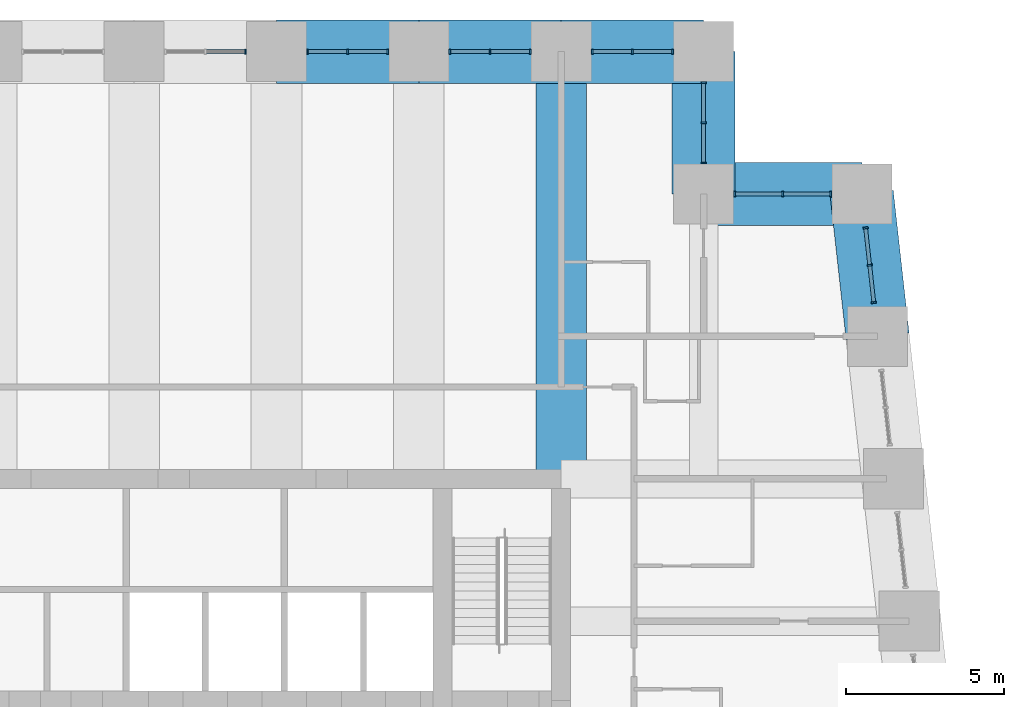
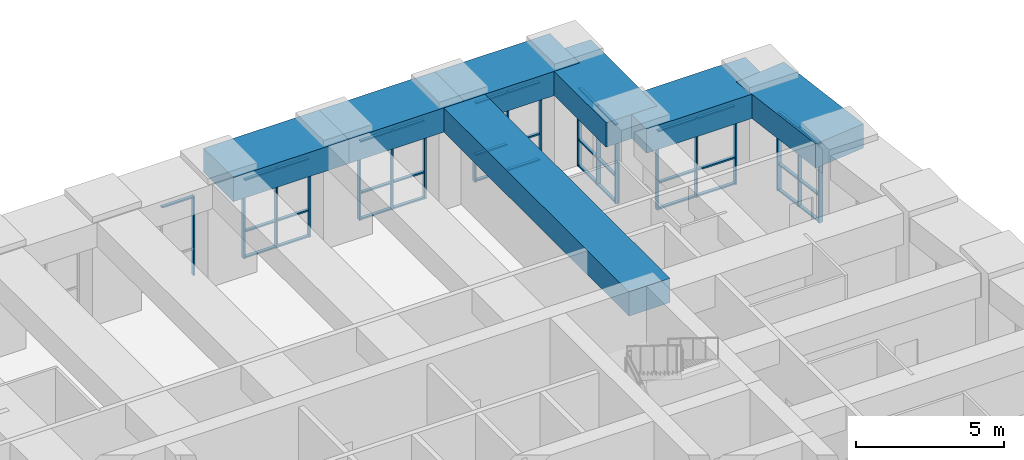
# One storey, part 8 of 16: 56 members, 7 beams, 7 elements without a shape of their own.
"""IFC4 building model written with IfcOpenShell, lengths in metres."""

import ifcopenshell
import ifcopenshell.guid

model = None  # the IFC model being written
_history = None  # IfcOwnerHistory: only IFC2X3 demands one
_inside = {}  # id of a spatial element -> (the spatial element, [elements in it])
_under = {}  # id of a project, library or spatial element -> (it, [spatial elements below it])
_declared = {}  # id of a project -> (the project, [libraries it declares])
_typed = {}  # id of a type object -> (the type object, [elements of that type])
_made_of = {}  # id of a material, layer set ... -> (it, [elements and type objects made of it])


def new_model(schema):
    """Start an empty IFC model of exactly this schema.

    Asked for "IFC4X3", IfcOpenShell would pick the latest addendum, in which some entities
    have other attributes; the version numbers below select the first issue.
    IFC2X3 requires an IfcOwnerHistory on every rooted entity: one is made here for all.
    """
    global model, _history
    if schema == "IFC4X3":
        model = ifcopenshell.file(schema_version=(4, 3, 0, 0))
    else:
        model = ifcopenshell.file(schema=schema)
    _inside.clear()
    _under.clear()
    _declared.clear()
    _typed.clear()
    _made_of.clear()
    _history = None
    if model.schema == "IFC2X3":
        org = make("IfcOrganization", Name="unknown")
        user = make(
            "IfcPersonAndOrganization",
            ThePerson=make("IfcPerson", FamilyName="unknown"),
            TheOrganization=org,
        )
        app = make(
            "IfcApplication",
            ApplicationDeveloper=org,
            Version="unknown",
            ApplicationFullName="unknown",
            ApplicationIdentifier="unknown",
        )
        _history = make(
            "IfcOwnerHistory",
            OwningUser=user,
            OwningApplication=app,
            ChangeAction="ADDED",
            CreationDate=0,
        )
    return model


def make(cls, **values):
    """One entity of the class cls with the attributes given. An attribute that is None is left unset."""
    return model.create_entity(
        cls, **{name: value for name, value in values.items() if value is not None}
    )


def rooted(cls, **values):
    """An entity with a GlobalId (a new one), such as an element, a storey or a relation."""
    return make(cls, GlobalId=ifcopenshell.guid.new(), OwnerHistory=_history, **values)


def si_unit(unit_type, name, prefix=None):
    """IfcSIUnit, for example si_unit("LENGTHUNIT", "METRE", prefix="MILLI")."""
    return make("IfcSIUnit", UnitType=unit_type, Prefix=prefix, Name=name)


def assignment(units):
    """IfcUnitAssignment: the units of a project."""
    return None if units is None else make("IfcUnitAssignment", Units=units)


def point(xyz):
    """IfcCartesianPoint."""
    return None if xyz is None else make("IfcCartesianPoint", Coordinates=xyz)


def direction(xyz):
    """IfcDirection."""
    return None if xyz is None else make("IfcDirection", DirectionRatios=xyz)


def frame(location, z_axis=None, x_axis=None):
    """IfcAxis2Placement3D, a coordinate frame: its origin and axes. An axis left out is left unset."""
    return make(
        "IfcAxis2Placement3D",
        Location=point(location),
        Axis=direction(z_axis),
        RefDirection=direction(x_axis),
    )


def frame_2d(location, x_axis=None):
    """IfcAxis2Placement2D, a coordinate frame in the plane: its origin and x axis."""
    return make(
        "IfcAxis2Placement2D", Location=point(location), RefDirection=direction(x_axis)
    )


def origin():
    """The frame at (0, 0, 0) with its axes left unset."""
    return frame((0.0, 0.0, 0.0))


def origin_2d():
    """The frame at (0, 0) in the plane with its x axis left unset."""
    return frame_2d((0.0, 0.0))


def place(relative_to, where):
    """IfcLocalPlacement: puts the frame where relative to a parent placement (None: the world)."""
    return make(
        "IfcLocalPlacement", PlacementRelTo=relative_to, RelativePlacement=where
    )


def context(
    kind, dimensions, precision=None, world=None, true_north=None, identifier=None
):
    """IfcGeometricRepresentationContext, for example the 3D "Model" context."""
    return make(
        "IfcGeometricRepresentationContext",
        ContextIdentifier=identifier,
        ContextType=kind,
        CoordinateSpaceDimension=dimensions,
        Precision=precision,
        WorldCoordinateSystem=world,
        TrueNorth=true_north,
    )


def subcontext(parent, identifier, kind, view, scale=None):
    """IfcGeometricRepresentationSubContext, for example "Body" below "Model"."""
    return make(
        "IfcGeometricRepresentationSubContext",
        ContextIdentifier=identifier,
        ContextType=kind,
        ParentContext=parent,
        TargetScale=scale,
        TargetView=view,
    )


def project(units=None, contexts=None):
    """IfcProject with its units and contexts."""
    return rooted(
        "IfcProject",
        Name="project",
        RepresentationContexts=contexts,
        UnitsInContext=assignment(units),
    )


def spatial(cls, under=None, at=None, **own):
    """A site, building, storey or space (cls), placed at a placement, below another one or the project."""
    s = rooted(cls, ObjectPlacement=at, **own)
    if under is not None:
        _under.setdefault(under.id(), (under, []))[1].append(s)
    return s


def profile(cls, at=None, kind="AREA", **sizes):
    """A parametric profile (cls). Its sizes go by their IFC names, for example OverallWidth=200.0."""
    return make(cls, ProfileType=kind, Position=at, **sizes)


def rectangle(**sizes):
    """IfcRectangleProfileDef."""
    return profile("IfcRectangleProfileDef", **sizes)


def extrude(swept, where, along, depth):
    """IfcExtrudedAreaSolid: the profile swept, set in the frame where, extruded along a direction by depth."""
    return make(
        "IfcExtrudedAreaSolid",
        SweptArea=swept,
        Position=where,
        ExtrudedDirection=direction(along),
        Depth=depth,
    )


def shape(context_of_items, identifier, shape_type, items):
    """IfcShapeRepresentation: the items that make up one representation, for example the "Body"."""
    return make(
        "IfcShapeRepresentation",
        ContextOfItems=context_of_items,
        RepresentationIdentifier=identifier,
        RepresentationType=shape_type,
        Items=items,
    )


def material(Name=None, Category=None):
    """IfcMaterial."""
    return make("IfcMaterial", Name=Name, Category=Category)


def material_profile(
    of_material, cross_section, Name=None, Category=None, Priority=None
):
    """IfcMaterialProfile: a cross section and its material."""
    return make(
        "IfcMaterialProfile",
        Name=Name,
        Material=of_material,
        Profile=cross_section,
        Priority=Priority,
        Category=Category,
    )


def profile_set(profiles, Name=None, composite=None):
    """IfcMaterialProfileSet."""
    return make(
        "IfcMaterialProfileSet",
        Name=Name,
        MaterialProfiles=profiles,
        CompositeProfile=composite,
    )


def made_of(thing, what):
    """Note that an element or type object is made of a material, layer set ...; save() writes the relation."""
    if what is not None:
        _made_of.setdefault(what.id(), (what, []))[1].append(thing)
    return thing


def type_object(cls, material=None, **own):
    """A type object (cls), such as IfcWallType, which elements share."""
    return made_of(rooted(cls, **own), material)


def element(
    cls,
    number,
    at=None,
    inside=None,
    cuts=None,
    type_object=None,
    material=None,
    context=None,
    identifier="Body",
    shape_type=None,
    held_by="IfcProductDefinitionShape",
    body=None,
    shapes=None,
    **own,
):
    """One element of the class cls, such as IfcWall. Its Tag is "e" and its number.

    at: its placement. inside: the storey or other place that contains it. cuts: it is an
    opening in that element (IfcRelVoidsElement). A single representation is given by context,
    identifier, shape_type and body (its items); several are given by shapes. held_by: the class
    of the entity that holds the representations. save() writes the other relations.
    """
    e = rooted(cls, Tag="e%d" % number, ObjectPlacement=at, **own)
    if body is not None:
        shapes = [shape(context, identifier, shape_type, body)]
    if shapes is not None:
        e.Representation = make(held_by, Representations=shapes)
    if inside is not None:
        _inside.setdefault(inside.id(), (inside, []))[1].append(e)
    if cuts is not None:
        rooted(
            "IfcRelVoidsElement", RelatingBuildingElement=cuts, RelatedOpeningElement=e
        )
    if type_object is not None:
        _typed.setdefault(type_object.id(), (type_object, []))[1].append(e)
    return made_of(e, material)


def aggregate(whole, parts):
    """IfcRelAggregates: a whole, such as a stair, and the parts it consists of."""
    return rooted("IfcRelAggregates", RelatingObject=whole, RelatedObjects=parts)


def save(model, path):
    """Write the relations noted so far, then the file.

    IfcRelAggregates (storeys below a building ...), IfcRelContainedInSpatialStructure (elements
    in a storey), IfcRelDefinesByType, IfcRelAssociatesMaterial and IfcRelDeclares: one each for
    every whole, place, type object, material and project.
    """
    for whole, parts in _under.values():
        aggregate(whole, parts)
    for where, things in _inside.values():
        rooted(
            "IfcRelContainedInSpatialStructure",
            RelatedElements=things,
            RelatingStructure=where,
        )
    for kind, things in _typed.values():
        rooted("IfcRelDefinesByType", RelatedObjects=things, RelatingType=kind)
    for what, things in _made_of.values():
        rooted("IfcRelAssociatesMaterial", RelatedObjects=things, RelatingMaterial=what)
    for by, libraries in _declared.values():
        rooted("IfcRelDeclares", RelatingContext=by, RelatedDefinitions=libraries)
    model.write(path)


model = new_model("IFC4")

# Units and contexts
model_context = context("Model", 3, precision=1e-05, world=origin(), true_north=direction((0.0, 1.0)))
body_context = subcontext(model_context, "Body", "Model", "MODEL_VIEW")
ifc_project = project(units=[si_unit("LENGTHUNIT", "METRE"), si_unit("AREAUNIT", "SQUARE_METRE"), si_unit("VOLUMEUNIT", "CUBIC_METRE"), si_unit("PLANEANGLEUNIT", "RADIAN"), si_unit("MASSUNIT", "GRAM", prefix="KILO")], contexts=[model_context])

# Site, building, storey
site_placement = place(None, origin())
site = spatial("IfcSite", under=ifc_project, at=site_placement, CompositionType="ELEMENT")
building_placement = place(site_placement, origin())
building = spatial("IfcBuilding", under=site, at=building_placement, Name="Kilele Tower Hotel", CompositionType="ELEMENT")
storey_placement = place(building_placement, frame((0.0, 0.0, 157.89990234375)))
storey = spatial("IfcBuildingStorey", under=building, at=storey_placement, Name="L40", CompositionType="ELEMENT", Elevation=157.89990234375)

# Beam
ifc_material_1 = material(Name="Concrete C60/75", Category="concrete")
ifc_material_profile_1 = material_profile(ifc_material_1, rectangle(XDim=1.60009765625, YDim=1.0, at=origin_2d()))
ifc_profile_set_1 = profile_set([ifc_material_profile_1], Name="Concrete C60/75")
beam_type_1 = type_object("IfcBeamType", Name="Beam RC 1600x1000 C60/75", PredefinedType="BEAM", material=ifc_profile_set_1)
beam_1_placement = place(storey_placement, frame((36.0, 40.5, 3.75), z_axis=(0.0, -1.0, 0.0), x_axis=(1.0, 0.0, 0.0)))
element("IfcBeam", 1, at=beam_1_placement, inside=storey, type_object=beam_type_1, Name="Beam BC1 level L41", PredefinedType="BEAM", context=body_context, shape_type="SweptSolid", body=[
    extrude(rectangle(XDim=1.60009765625, YDim=1.0, at=origin_2d()), origin(), (0.0, 0.0, 1.0), 13.5),
])

# Curtain wall, members
ifc_material_2 = material(Name="Aluminium curtain wall, clear double glazing", Category="aluminium")
curtain_wall_type = type_object("IfcCurtainWallType", Name="Club lounge curtain wall CW-4", PredefinedType="NOTDEFINED", material=ifc_material_2)
curtain_wall_1_placement = place(storey_placement, origin())
curtain_wall_1 = element("IfcCurtainWall", 2, at=curtain_wall_1_placement, inside=storey, type_object=curtain_wall_type, Name="Club lounge curtain wall CW-4 L40", PredefinedType="NOTDEFINED")
ifc_material_3 = material(Name="Aluminium EN AW-6063 T6", Category="aluminium")
ifc_material_profile_2 = material_profile(ifc_material_3, rectangle(XDim=0.159912109375, YDim=0.06005859375, at=origin_2d()))
ifc_profile_set_2 = profile_set([ifc_material_profile_2], Name="Aluminium EN AW-6063 T6")
member_type_1 = type_object("IfcMemberType", Name="Mullion 60x160 CW-4", PredefinedType="MULLION", material=ifc_profile_set_2)
member_1_placement = place(storey_placement, frame((45.880859375, 32.572509765625, 0.0), z_axis=(0.0, 0.0, 1.0), x_axis=(-0.993883734714, -0.110431525712, 0.0)))
member_1 = element("IfcMember", 3, at=member_1_placement, type_object=member_type_1, Name="CW-4 mullion 1", PredefinedType="MULLION", context=body_context, shape_type="SweptSolid", body=[
    extrude(rectangle(XDim=0.159912109375, YDim=0.06005859375, at=origin_2d()), origin(), (0.0, 0.0, 1.0), 3.25),
])
member_2_placement = place(storey_placement, frame((45.75, 33.75, 0.0), z_axis=(0.0, 0.0, 1.0), x_axis=(-0.993883734714, -0.110431525712, 0.0)))
member_2 = element("IfcMember", 4, at=member_2_placement, type_object=member_type_1, Name="CW-4 mullion 2", PredefinedType="MULLION", context=body_context, shape_type="SweptSolid", body=[
    extrude(rectangle(XDim=0.159912109375, YDim=0.06005859375, at=origin_2d()), origin(), (0.0, 0.0, 1.0), 3.25),
])
member_3_placement = place(storey_placement, frame((45.619140625, 34.927490234375, 0.0), z_axis=(0.0, 0.0, 1.0), x_axis=(-0.993883734714, -0.110431525712, 0.0)))
member_3 = element("IfcMember", 5, at=member_3_placement, type_object=member_type_1, Name="CW-4 mullion 3", PredefinedType="MULLION", context=body_context, shape_type="SweptSolid", body=[
    extrude(rectangle(XDim=0.159912109375, YDim=0.06005859375, at=origin_2d()), origin(), (0.0, 0.0, 1.0), 3.25),
])

curtain_wall_2_placement = place(storey_placement, origin())
curtain_wall_2 = element("IfcCurtainWall", 6, at=curtain_wall_2_placement, inside=storey, type_object=curtain_wall_type, Name="Club lounge curtain wall CW-4 L40", PredefinedType="NOTDEFINED")
member_4_placement = place(storey_placement, frame((44.52001953125, 36.0, 0.0), z_axis=(0.0, 0.0, 1.0), x_axis=(0.0, -1.0, 0.0)))
member_4 = element("IfcMember", 7, at=member_4_placement, type_object=member_type_1, Name="CW-4 mullion 1", PredefinedType="MULLION", context=body_context, shape_type="SweptSolid", body=[
    extrude(rectangle(XDim=0.159912109375, YDim=0.06005859375, at=origin_2d()), origin(), (0.0, 0.0, 1.0), 3.25),
])
member_5_placement = place(storey_placement, frame((43.0, 36.0, 0.0), z_axis=(0.0, 0.0, 1.0), x_axis=(0.0, -1.0, 0.0)))
member_5 = element("IfcMember", 8, at=member_5_placement, type_object=member_type_1, Name="CW-4 mullion 2", PredefinedType="MULLION", context=body_context, shape_type="SweptSolid", body=[
    extrude(rectangle(XDim=0.159912109375, YDim=0.06005859375, at=origin_2d()), origin(), (0.0, 0.0, 1.0), 3.25),
])
member_6_placement = place(storey_placement, frame((41.47998046875, 36.0, 0.0), z_axis=(0.0, 0.0, 1.0), x_axis=(0.0, -1.0, 0.0)))
member_6 = element("IfcMember", 9, at=member_6_placement, type_object=member_type_1, Name="CW-4 mullion 3", PredefinedType="MULLION", context=body_context, shape_type="SweptSolid", body=[
    extrude(rectangle(XDim=0.159912109375, YDim=0.06005859375, at=origin_2d()), origin(), (0.0, 0.0, 1.0), 3.25),
])

curtain_wall_3_placement = place(storey_placement, origin())
curtain_wall_3 = element("IfcCurtainWall", 10, at=curtain_wall_3_placement, inside=storey, type_object=curtain_wall_type, Name="Club lounge curtain wall CW-4 L40", PredefinedType="NOTDEFINED")
member_7_placement = place(storey_placement, frame((40.5, 36.97998046875, 0.0), z_axis=(0.0, 0.0, 1.0), x_axis=(-1.0, 0.0, 0.0)))
member_7 = element("IfcMember", 11, at=member_7_placement, type_object=member_type_1, Name="CW-4 mullion 1", PredefinedType="MULLION", context=body_context, shape_type="SweptSolid", body=[
    extrude(rectangle(XDim=0.159912109375, YDim=0.06005859375, at=origin_2d()), origin(), (0.0, 0.0, 1.0), 3.25),
])
member_8_placement = place(storey_placement, frame((40.5, 38.25, 0.0), z_axis=(0.0, 0.0, 1.0), x_axis=(-1.0, 0.0, 0.0)))
member_8 = element("IfcMember", 12, at=member_8_placement, type_object=member_type_1, Name="CW-4 mullion 2", PredefinedType="MULLION", context=body_context, shape_type="SweptSolid", body=[
    extrude(rectangle(XDim=0.159912109375, YDim=0.06005859375, at=origin_2d()), origin(), (0.0, 0.0, 1.0), 3.25),
])
member_9_placement = place(storey_placement, frame((40.5, 39.52001953125, 0.0), z_axis=(0.0, 0.0, 1.0), x_axis=(-1.0, 0.0, 0.0)))
member_9 = element("IfcMember", 13, at=member_9_placement, type_object=member_type_1, Name="CW-4 mullion 3", PredefinedType="MULLION", context=body_context, shape_type="SweptSolid", body=[
    extrude(rectangle(XDim=0.159912109375, YDim=0.06005859375, at=origin_2d()), origin(), (0.0, 0.0, 1.0), 3.25),
])

curtain_wall_4_placement = place(storey_placement, origin())
curtain_wall_4 = element("IfcCurtainWall", 14, at=curtain_wall_4_placement, inside=storey, type_object=curtain_wall_type, Name="Club lounge curtain wall CW-4 L40", PredefinedType="NOTDEFINED")
member_10_placement = place(storey_placement, frame((39.52001953125, 40.5, 0.0), z_axis=(0.0, 0.0, 1.0), x_axis=(0.0, -1.0, 0.0)))
member_10 = element("IfcMember", 15, at=member_10_placement, type_object=member_type_1, Name="CW-4 mullion 1", PredefinedType="MULLION", context=body_context, shape_type="SweptSolid", body=[
    extrude(rectangle(XDim=0.159912109375, YDim=0.06005859375, at=origin_2d()), origin(), (0.0, 0.0, 1.0), 3.25),
])
member_11_placement = place(storey_placement, frame((38.25, 40.5, 0.0), z_axis=(0.0, 0.0, 1.0), x_axis=(0.0, -1.0, 0.0)))
member_11 = element("IfcMember", 16, at=member_11_placement, type_object=member_type_1, Name="CW-4 mullion 2", PredefinedType="MULLION", context=body_context, shape_type="SweptSolid", body=[
    extrude(rectangle(XDim=0.159912109375, YDim=0.06005859375, at=origin_2d()), origin(), (0.0, 0.0, 1.0), 3.25),
])
member_12_placement = place(storey_placement, frame((36.97998046875, 40.5, 0.0), z_axis=(0.0, 0.0, 1.0), x_axis=(0.0, -1.0, 0.0)))
member_12 = element("IfcMember", 17, at=member_12_placement, type_object=member_type_1, Name="CW-4 mullion 3", PredefinedType="MULLION", context=body_context, shape_type="SweptSolid", body=[
    extrude(rectangle(XDim=0.159912109375, YDim=0.06005859375, at=origin_2d()), origin(), (0.0, 0.0, 1.0), 3.25),
])

curtain_wall_5_placement = place(storey_placement, origin())
curtain_wall_5 = element("IfcCurtainWall", 18, at=curtain_wall_5_placement, inside=storey, type_object=curtain_wall_type, Name="Club lounge curtain wall CW-4 L40", PredefinedType="NOTDEFINED")
member_13_placement = place(storey_placement, frame((35.02001953125, 40.5, 0.0), z_axis=(0.0, 0.0, 1.0), x_axis=(0.0, -1.0, 0.0)))
member_13 = element("IfcMember", 19, at=member_13_placement, type_object=member_type_1, Name="CW-4 mullion 1", PredefinedType="MULLION", context=body_context, shape_type="SweptSolid", body=[
    extrude(rectangle(XDim=0.159912109375, YDim=0.06005859375, at=origin_2d()), origin(), (0.0, 0.0, 1.0), 3.25),
])
member_14_placement = place(storey_placement, frame((33.75, 40.5, 0.0), z_axis=(0.0, 0.0, 1.0), x_axis=(0.0, -1.0, 0.0)))
member_14 = element("IfcMember", 20, at=member_14_placement, type_object=member_type_1, Name="CW-4 mullion 2", PredefinedType="MULLION", context=body_context, shape_type="SweptSolid", body=[
    extrude(rectangle(XDim=0.159912109375, YDim=0.06005859375, at=origin_2d()), origin(), (0.0, 0.0, 1.0), 3.25),
])
member_15_placement = place(storey_placement, frame((32.47998046875, 40.5, 0.0), z_axis=(0.0, 0.0, 1.0), x_axis=(0.0, -1.0, 0.0)))
member_15 = element("IfcMember", 21, at=member_15_placement, type_object=member_type_1, Name="CW-4 mullion 3", PredefinedType="MULLION", context=body_context, shape_type="SweptSolid", body=[
    extrude(rectangle(XDim=0.159912109375, YDim=0.06005859375, at=origin_2d()), origin(), (0.0, 0.0, 1.0), 3.25),
])

curtain_wall_6_placement = place(storey_placement, origin())
curtain_wall_6 = element("IfcCurtainWall", 22, at=curtain_wall_6_placement, inside=storey, type_object=curtain_wall_type, Name="Club lounge curtain wall CW-4 L40", PredefinedType="NOTDEFINED")
member_16_placement = place(storey_placement, frame((30.52001953125, 40.5, 0.0), z_axis=(0.0, 0.0, 1.0), x_axis=(0.0, -1.0, 0.0)))
member_16 = element("IfcMember", 23, at=member_16_placement, type_object=member_type_1, Name="CW-4 mullion 1", PredefinedType="MULLION", context=body_context, shape_type="SweptSolid", body=[
    extrude(rectangle(XDim=0.159912109375, YDim=0.06005859375, at=origin_2d()), origin(), (0.0, 0.0, 1.0), 3.25),
])
member_17_placement = place(storey_placement, frame((29.25, 40.5, 0.0), z_axis=(0.0, 0.0, 1.0), x_axis=(0.0, -1.0, 0.0)))
member_17 = element("IfcMember", 24, at=member_17_placement, type_object=member_type_1, Name="CW-4 mullion 2", PredefinedType="MULLION", context=body_context, shape_type="SweptSolid", body=[
    extrude(rectangle(XDim=0.159912109375, YDim=0.06005859375, at=origin_2d()), origin(), (0.0, 0.0, 1.0), 3.25),
])
member_18_placement = place(storey_placement, frame((27.97998046875, 40.5, 0.0), z_axis=(0.0, 0.0, 1.0), x_axis=(0.0, -1.0, 0.0)))
member_18 = element("IfcMember", 25, at=member_18_placement, type_object=member_type_1, Name="CW-4 mullion 3", PredefinedType="MULLION", context=body_context, shape_type="SweptSolid", body=[
    extrude(rectangle(XDim=0.159912109375, YDim=0.06005859375, at=origin_2d()), origin(), (0.0, 0.0, 1.0), 3.25),
])

# Curtain wall, member
curtain_wall_7_placement = place(storey_placement, origin())
curtain_wall_7 = element("IfcCurtainWall", 26, at=curtain_wall_7_placement, inside=storey, type_object=curtain_wall_type, Name="Club lounge curtain wall CW-4 L40", PredefinedType="NOTDEFINED")
member_19_placement = place(storey_placement, frame((26.02001953125, 40.5, 0.0), z_axis=(0.0, 0.0, 1.0), x_axis=(0.0, -1.0, 0.0)))
member_19 = element("IfcMember", 27, at=member_19_placement, type_object=member_type_1, Name="CW-4 mullion 1", PredefinedType="MULLION", context=body_context, shape_type="SweptSolid", body=[
    extrude(rectangle(XDim=0.159912109375, YDim=0.06005859375, at=origin_2d()), origin(), (0.0, 0.0, 1.0), 3.25),
])

# Beams
ifc_material_4 = material(Name="Concrete C60/75", Category="concrete")
ifc_material_profile_3 = material_profile(ifc_material_4, rectangle(XDim=2.0, YDim=1.0, at=origin_2d()))
ifc_profile_set_3 = profile_set([ifc_material_profile_3], Name="Concrete C60/75")
beam_type_2 = type_object("IfcBeamType", Name="Spandrel RC 2000x1000 C60/75", PredefinedType="SPANDREL", material=ifc_profile_set_3)
beam_2_placement = place(storey_placement, frame((46.0, 31.5, 3.75), z_axis=(-0.110431526075, 0.993883734674, 0.0), x_axis=(-0.993883734674, -0.110431526075, 0.0)))
element("IfcBeam", 28, at=beam_2_placement, inside=storey, type_object=beam_type_2, Name="Spandrel SP3 level L41", PredefinedType="SPANDREL", context=body_context, shape_type="SweptSolid", body=[
    extrude(rectangle(XDim=2.0, YDim=1.0, at=origin_2d()), origin(), (0.0, 0.0, 1.0), 4.527587890625),
])
beam_3_placement = place(storey_placement, frame((45.5, 36.0, 3.75), z_axis=(-1.0, 0.0, 0.0), x_axis=(0.0, -1.0, 0.0)))
element("IfcBeam", 29, at=beam_3_placement, inside=storey, type_object=beam_type_2, Name="Spandrel SP3 level L41", PredefinedType="SPANDREL", context=body_context, shape_type="SweptSolid", body=[
    extrude(rectangle(XDim=2.0, YDim=1.0, at=origin_2d()), origin(), (0.0, 0.0, 1.0), 5.0),
])
for number, where, z_axis, x_axis, name in (
    (30, (40.5, 36.0, 3.75), (0.0, 1.0, 0.0), (-1.0, 0.0, 0.0), "Spandrel SP3 level L41"),
    (31, (40.5, 40.5, 3.75), (-1.0, 0.0, 0.0), (0.0, -1.0, 0.0), "Spandrel SP3 level L41"),
    (32, (36.0, 40.5, 3.75), (-1.0, 0.0, 0.0), (0.0, -1.0, 0.0), "Spandrel SP3 level L41"),
    (33, (31.5, 40.5, 3.75), (-1.0, 0.0, 0.0), (0.0, -1.0, 0.0), "Spandrel SP3 level L41"),
):
    element("IfcBeam", number, at=place(storey_placement, frame(where, z_axis=z_axis, x_axis=x_axis)), inside=storey, type_object=beam_type_2, Name=name, PredefinedType="SPANDREL", context=body_context, shape_type="SweptSolid", body=[
        extrude(rectangle(XDim=2.0, YDim=1.0, at=origin_2d()), origin(), (0.0, 0.0, 1.0), 4.5),
    ])

# Member
ifc_material_5 = material(Name="Aluminium EN AW-6063 T6", Category="aluminium")
ifc_material_profile_4 = material_profile(ifc_material_5, rectangle(XDim=0.1201171875, YDim=0.06005859375, at=origin_2d()))
ifc_profile_set_4 = profile_set([ifc_material_profile_4], Name="Aluminium EN AW-6063 T6")
member_type_2 = type_object("IfcMemberType", Name="Transom 60x120 CW-4", PredefinedType="USERDEFINED", material=ifc_profile_set_4)
member_20_placement = place(storey_placement, frame((45.87744140625, 32.602294921875, 0.030029296875), z_axis=(-0.11026476151, 0.993902249907, 0.0), x_axis=(-0.993902249907, -0.11026476151, 0.0)))
member_20 = element("IfcMember", 34, at=member_20_placement, type_object=member_type_2, Name="CW-4 transom 1.1", ObjectType="TRANSOM", PredefinedType="USERDEFINED", context=body_context, shape_type="SweptSolid", body=[
    extrude(rectangle(XDim=0.1201171875, YDim=0.06005859375, at=origin_2d()), origin(), (0.0, 0.0, 1.0), 1.124755859375),
])

member_21_placement = place(storey_placement, frame((45.87744140625, 32.602294921875, 1.10009765625), z_axis=(-0.11026476151, 0.993902249907, 0.0), x_axis=(-0.993902249907, -0.11026476151, 0.0)))
member_21 = element("IfcMember", 35, at=member_21_placement, type_object=member_type_2, Name="CW-4 transom 1.2", ObjectType="TRANSOM", PredefinedType="USERDEFINED", context=body_context, shape_type="SweptSolid", body=[
    extrude(rectangle(XDim=0.1201171875, YDim=0.06005859375, at=origin_2d()), origin(), (0.0, 0.0, 1.0), 1.124755859375),
])

member_22_placement = place(storey_placement, frame((45.87744140625, 32.602294921875, 3.22021484375), z_axis=(-0.11026476151, 0.993902249907, 0.0), x_axis=(-0.993902249907, -0.11026476151, 0.0)))
member_22 = element("IfcMember", 36, at=member_22_placement, type_object=member_type_2, Name="CW-4 transom 1.3", ObjectType="TRANSOM", PredefinedType="USERDEFINED", context=body_context, shape_type="SweptSolid", body=[
    extrude(rectangle(XDim=0.1201171875, YDim=0.06005859375, at=origin_2d()), origin(), (0.0, 0.0, 1.0), 1.124755859375),
])

member_23_placement = place(storey_placement, frame((45.74658203125, 33.77978515625, 0.030029296875), z_axis=(-0.11026476151, 0.993902249907, 0.0), x_axis=(-0.993902249907, -0.11026476151, 0.0)))
member_23 = element("IfcMember", 37, at=member_23_placement, type_object=member_type_2, Name="CW-4 transom 2.1", ObjectType="TRANSOM", PredefinedType="USERDEFINED", context=body_context, shape_type="SweptSolid", body=[
    extrude(rectangle(XDim=0.1201171875, YDim=0.06005859375, at=origin_2d()), origin(), (0.0, 0.0, 1.0), 1.124755859375),
])

member_24_placement = place(storey_placement, frame((45.74658203125, 33.77978515625, 1.10009765625), z_axis=(-0.11026476151, 0.993902249907, 0.0), x_axis=(-0.993902249907, -0.11026476151, 0.0)))
member_24 = element("IfcMember", 38, at=member_24_placement, type_object=member_type_2, Name="CW-4 transom 2.2", ObjectType="TRANSOM", PredefinedType="USERDEFINED", context=body_context, shape_type="SweptSolid", body=[
    extrude(rectangle(XDim=0.1201171875, YDim=0.06005859375, at=origin_2d()), origin(), (0.0, 0.0, 1.0), 1.124755859375),
])

member_25_placement = place(storey_placement, frame((45.74658203125, 33.77978515625, 3.22021484375), z_axis=(-0.11026476151, 0.993902249907, 0.0), x_axis=(-0.993902249907, -0.11026476151, 0.0)))
member_25 = element("IfcMember", 39, at=member_25_placement, type_object=member_type_2, Name="CW-4 transom 2.3", ObjectType="TRANSOM", PredefinedType="USERDEFINED", context=body_context, shape_type="SweptSolid", body=[
    extrude(rectangle(XDim=0.1201171875, YDim=0.06005859375, at=origin_2d()), origin(), (0.0, 0.0, 1.0), 1.124755859375),
])

aggregate(curtain_wall_1, [member_1, member_2, member_3, member_20, member_21, member_22, member_23, member_24, member_25])

member_26_placement = place(storey_placement, frame((44.489990234375, 36.0, 0.030029296875), z_axis=(-1.0, 0.0, 0.0), x_axis=(0.0, -1.0, 0.0)))
member_26 = element("IfcMember", 40, at=member_26_placement, type_object=member_type_2, Name="CW-4 transom 1.1", ObjectType="TRANSOM", PredefinedType="USERDEFINED", context=body_context, shape_type="SweptSolid", body=[
    extrude(rectangle(XDim=0.1201171875, YDim=0.06005859375, at=origin_2d()), origin(), (0.0, 0.0, 1.0), 1.4599609375),
])

member_27_placement = place(storey_placement, frame((44.489990234375, 36.0, 1.10009765625), z_axis=(-1.0, 0.0, 0.0), x_axis=(0.0, -1.0, 0.0)))
member_27 = element("IfcMember", 41, at=member_27_placement, type_object=member_type_2, Name="CW-4 transom 1.2", ObjectType="TRANSOM", PredefinedType="USERDEFINED", context=body_context, shape_type="SweptSolid", body=[
    extrude(rectangle(XDim=0.1201171875, YDim=0.06005859375, at=origin_2d()), origin(), (0.0, 0.0, 1.0), 1.4599609375),
])

member_28_placement = place(storey_placement, frame((44.489990234375, 36.0, 3.22021484375), z_axis=(-1.0, 0.0, 0.0), x_axis=(0.0, -1.0, 0.0)))
member_28 = element("IfcMember", 42, at=member_28_placement, type_object=member_type_2, Name="CW-4 transom 1.3", ObjectType="TRANSOM", PredefinedType="USERDEFINED", context=body_context, shape_type="SweptSolid", body=[
    extrude(rectangle(XDim=0.1201171875, YDim=0.06005859375, at=origin_2d()), origin(), (0.0, 0.0, 1.0), 1.4599609375),
])

member_29_placement = place(storey_placement, frame((42.969970703125, 36.0, 0.030029296875), z_axis=(-1.0, 0.0, 0.0), x_axis=(0.0, -1.0, 0.0)))
member_29 = element("IfcMember", 43, at=member_29_placement, type_object=member_type_2, Name="CW-4 transom 2.1", ObjectType="TRANSOM", PredefinedType="USERDEFINED", context=body_context, shape_type="SweptSolid", body=[
    extrude(rectangle(XDim=0.1201171875, YDim=0.06005859375, at=origin_2d()), origin(), (0.0, 0.0, 1.0), 1.4599609375),
])

member_30_placement = place(storey_placement, frame((42.969970703125, 36.0, 1.10009765625), z_axis=(-1.0, 0.0, 0.0), x_axis=(0.0, -1.0, 0.0)))
member_30 = element("IfcMember", 44, at=member_30_placement, type_object=member_type_2, Name="CW-4 transom 2.2", ObjectType="TRANSOM", PredefinedType="USERDEFINED", context=body_context, shape_type="SweptSolid", body=[
    extrude(rectangle(XDim=0.1201171875, YDim=0.06005859375, at=origin_2d()), origin(), (0.0, 0.0, 1.0), 1.4599609375),
])

member_31_placement = place(storey_placement, frame((42.969970703125, 36.0, 3.22021484375), z_axis=(-1.0, 0.0, 0.0), x_axis=(0.0, -1.0, 0.0)))
member_31 = element("IfcMember", 45, at=member_31_placement, type_object=member_type_2, Name="CW-4 transom 2.3", ObjectType="TRANSOM", PredefinedType="USERDEFINED", context=body_context, shape_type="SweptSolid", body=[
    extrude(rectangle(XDim=0.1201171875, YDim=0.06005859375, at=origin_2d()), origin(), (0.0, 0.0, 1.0), 1.4599609375),
])

aggregate(curtain_wall_2, [member_4, member_5, member_6, member_26, member_27, member_28, member_29, member_30, member_31])

member_32_placement = place(storey_placement, frame((40.5, 37.010009765625, 0.030029296875), z_axis=(0.0, 1.0, 0.0), x_axis=(-1.0, 0.0, 0.0)))
member_32 = element("IfcMember", 46, at=member_32_placement, type_object=member_type_2, Name="CW-4 transom 1.1", ObjectType="TRANSOM", PredefinedType="USERDEFINED", context=body_context, shape_type="SweptSolid", body=[
    extrude(rectangle(XDim=0.1201171875, YDim=0.06005859375, at=origin_2d()), origin(), (0.0, 0.0, 1.0), 1.2099609375),
])

member_33_placement = place(storey_placement, frame((40.5, 37.010009765625, 1.10009765625), z_axis=(0.0, 1.0, 0.0), x_axis=(-1.0, 0.0, 0.0)))
member_33 = element("IfcMember", 47, at=member_33_placement, type_object=member_type_2, Name="CW-4 transom 1.2", ObjectType="TRANSOM", PredefinedType="USERDEFINED", context=body_context, shape_type="SweptSolid", body=[
    extrude(rectangle(XDim=0.1201171875, YDim=0.06005859375, at=origin_2d()), origin(), (0.0, 0.0, 1.0), 1.2099609375),
])

member_34_placement = place(storey_placement, frame((40.5, 37.010009765625, 3.22021484375), z_axis=(0.0, 1.0, 0.0), x_axis=(-1.0, 0.0, 0.0)))
member_34 = element("IfcMember", 48, at=member_34_placement, type_object=member_type_2, Name="CW-4 transom 1.3", ObjectType="TRANSOM", PredefinedType="USERDEFINED", context=body_context, shape_type="SweptSolid", body=[
    extrude(rectangle(XDim=0.1201171875, YDim=0.06005859375, at=origin_2d()), origin(), (0.0, 0.0, 1.0), 1.2099609375),
])

member_35_placement = place(storey_placement, frame((40.5, 38.280029296875, 0.030029296875), z_axis=(0.0, 1.0, 0.0), x_axis=(-1.0, 0.0, 0.0)))
member_35 = element("IfcMember", 49, at=member_35_placement, type_object=member_type_2, Name="CW-4 transom 2.1", ObjectType="TRANSOM", PredefinedType="USERDEFINED", context=body_context, shape_type="SweptSolid", body=[
    extrude(rectangle(XDim=0.1201171875, YDim=0.06005859375, at=origin_2d()), origin(), (0.0, 0.0, 1.0), 1.2099609375),
])

member_36_placement = place(storey_placement, frame((40.5, 38.280029296875, 1.10009765625), z_axis=(0.0, 1.0, 0.0), x_axis=(-1.0, 0.0, 0.0)))
member_36 = element("IfcMember", 50, at=member_36_placement, type_object=member_type_2, Name="CW-4 transom 2.2", ObjectType="TRANSOM", PredefinedType="USERDEFINED", context=body_context, shape_type="SweptSolid", body=[
    extrude(rectangle(XDim=0.1201171875, YDim=0.06005859375, at=origin_2d()), origin(), (0.0, 0.0, 1.0), 1.2099609375),
])

member_37_placement = place(storey_placement, frame((40.5, 38.280029296875, 3.22021484375), z_axis=(0.0, 1.0, 0.0), x_axis=(-1.0, 0.0, 0.0)))
member_37 = element("IfcMember", 51, at=member_37_placement, type_object=member_type_2, Name="CW-4 transom 2.3", ObjectType="TRANSOM", PredefinedType="USERDEFINED", context=body_context, shape_type="SweptSolid", body=[
    extrude(rectangle(XDim=0.1201171875, YDim=0.06005859375, at=origin_2d()), origin(), (0.0, 0.0, 1.0), 1.2099609375),
])

aggregate(curtain_wall_3, [member_7, member_8, member_9, member_32, member_33, member_34, member_35, member_36, member_37])

member_38_placement = place(storey_placement, frame((39.489990234375, 40.5, 0.030029296875), z_axis=(-1.0, 0.0, 0.0), x_axis=(0.0, -1.0, 0.0)))
member_38 = element("IfcMember", 52, at=member_38_placement, type_object=member_type_2, Name="CW-4 transom 1.1", ObjectType="TRANSOM", PredefinedType="USERDEFINED", context=body_context, shape_type="SweptSolid", body=[
    extrude(rectangle(XDim=0.1201171875, YDim=0.06005859375, at=origin_2d()), origin(), (0.0, 0.0, 1.0), 1.2099609375),
])

member_39_placement = place(storey_placement, frame((39.489990234375, 40.5, 1.10009765625), z_axis=(-1.0, 0.0, 0.0), x_axis=(0.0, -1.0, 0.0)))
member_39 = element("IfcMember", 53, at=member_39_placement, type_object=member_type_2, Name="CW-4 transom 1.2", ObjectType="TRANSOM", PredefinedType="USERDEFINED", context=body_context, shape_type="SweptSolid", body=[
    extrude(rectangle(XDim=0.1201171875, YDim=0.06005859375, at=origin_2d()), origin(), (0.0, 0.0, 1.0), 1.2099609375),
])

member_40_placement = place(storey_placement, frame((39.489990234375, 40.5, 3.22021484375), z_axis=(-1.0, 0.0, 0.0), x_axis=(0.0, -1.0, 0.0)))
member_40 = element("IfcMember", 54, at=member_40_placement, type_object=member_type_2, Name="CW-4 transom 1.3", ObjectType="TRANSOM", PredefinedType="USERDEFINED", context=body_context, shape_type="SweptSolid", body=[
    extrude(rectangle(XDim=0.1201171875, YDim=0.06005859375, at=origin_2d()), origin(), (0.0, 0.0, 1.0), 1.2099609375),
])

member_41_placement = place(storey_placement, frame((38.219970703125, 40.5, 0.030029296875), z_axis=(-1.0, 0.0, 0.0), x_axis=(0.0, -1.0, 0.0)))
member_41 = element("IfcMember", 55, at=member_41_placement, type_object=member_type_2, Name="CW-4 transom 2.1", ObjectType="TRANSOM", PredefinedType="USERDEFINED", context=body_context, shape_type="SweptSolid", body=[
    extrude(rectangle(XDim=0.1201171875, YDim=0.06005859375, at=origin_2d()), origin(), (0.0, 0.0, 1.0), 1.2099609375),
])

member_42_placement = place(storey_placement, frame((38.219970703125, 40.5, 1.10009765625), z_axis=(-1.0, 0.0, 0.0), x_axis=(0.0, -1.0, 0.0)))
member_42 = element("IfcMember", 56, at=member_42_placement, type_object=member_type_2, Name="CW-4 transom 2.2", ObjectType="TRANSOM", PredefinedType="USERDEFINED", context=body_context, shape_type="SweptSolid", body=[
    extrude(rectangle(XDim=0.1201171875, YDim=0.06005859375, at=origin_2d()), origin(), (0.0, 0.0, 1.0), 1.2099609375),
])

member_43_placement = place(storey_placement, frame((38.219970703125, 40.5, 3.22021484375), z_axis=(-1.0, 0.0, 0.0), x_axis=(0.0, -1.0, 0.0)))
member_43 = element("IfcMember", 57, at=member_43_placement, type_object=member_type_2, Name="CW-4 transom 2.3", ObjectType="TRANSOM", PredefinedType="USERDEFINED", context=body_context, shape_type="SweptSolid", body=[
    extrude(rectangle(XDim=0.1201171875, YDim=0.06005859375, at=origin_2d()), origin(), (0.0, 0.0, 1.0), 1.2099609375),
])

aggregate(curtain_wall_4, [member_10, member_11, member_12, member_38, member_39, member_40, member_41, member_42, member_43])

member_44_placement = place(storey_placement, frame((34.989990234375, 40.5, 0.030029296875), z_axis=(-1.0, 0.0, 0.0), x_axis=(0.0, -1.0, 0.0)))
member_44 = element("IfcMember", 58, at=member_44_placement, type_object=member_type_2, Name="CW-4 transom 1.1", ObjectType="TRANSOM", PredefinedType="USERDEFINED", context=body_context, shape_type="SweptSolid", body=[
    extrude(rectangle(XDim=0.1201171875, YDim=0.06005859375, at=origin_2d()), origin(), (0.0, 0.0, 1.0), 1.2099609375),
])

member_45_placement = place(storey_placement, frame((34.989990234375, 40.5, 1.10009765625), z_axis=(-1.0, 0.0, 0.0), x_axis=(0.0, -1.0, 0.0)))
member_45 = element("IfcMember", 59, at=member_45_placement, type_object=member_type_2, Name="CW-4 transom 1.2", ObjectType="TRANSOM", PredefinedType="USERDEFINED", context=body_context, shape_type="SweptSolid", body=[
    extrude(rectangle(XDim=0.1201171875, YDim=0.06005859375, at=origin_2d()), origin(), (0.0, 0.0, 1.0), 1.2099609375),
])

member_46_placement = place(storey_placement, frame((34.989990234375, 40.5, 3.22021484375), z_axis=(-1.0, 0.0, 0.0), x_axis=(0.0, -1.0, 0.0)))
member_46 = element("IfcMember", 60, at=member_46_placement, type_object=member_type_2, Name="CW-4 transom 1.3", ObjectType="TRANSOM", PredefinedType="USERDEFINED", context=body_context, shape_type="SweptSolid", body=[
    extrude(rectangle(XDim=0.1201171875, YDim=0.06005859375, at=origin_2d()), origin(), (0.0, 0.0, 1.0), 1.2099609375),
])

member_47_placement = place(storey_placement, frame((33.719970703125, 40.5, 0.030029296875), z_axis=(-1.0, 0.0, 0.0), x_axis=(0.0, -1.0, 0.0)))
member_47 = element("IfcMember", 61, at=member_47_placement, type_object=member_type_2, Name="CW-4 transom 2.1", ObjectType="TRANSOM", PredefinedType="USERDEFINED", context=body_context, shape_type="SweptSolid", body=[
    extrude(rectangle(XDim=0.1201171875, YDim=0.06005859375, at=origin_2d()), origin(), (0.0, 0.0, 1.0), 1.2099609375),
])

member_48_placement = place(storey_placement, frame((33.719970703125, 40.5, 1.10009765625), z_axis=(-1.0, 0.0, 0.0), x_axis=(0.0, -1.0, 0.0)))
member_48 = element("IfcMember", 62, at=member_48_placement, type_object=member_type_2, Name="CW-4 transom 2.2", ObjectType="TRANSOM", PredefinedType="USERDEFINED", context=body_context, shape_type="SweptSolid", body=[
    extrude(rectangle(XDim=0.1201171875, YDim=0.06005859375, at=origin_2d()), origin(), (0.0, 0.0, 1.0), 1.2099609375),
])

member_49_placement = place(storey_placement, frame((33.719970703125, 40.5, 3.22021484375), z_axis=(-1.0, 0.0, 0.0), x_axis=(0.0, -1.0, 0.0)))
member_49 = element("IfcMember", 63, at=member_49_placement, type_object=member_type_2, Name="CW-4 transom 2.3", ObjectType="TRANSOM", PredefinedType="USERDEFINED", context=body_context, shape_type="SweptSolid", body=[
    extrude(rectangle(XDim=0.1201171875, YDim=0.06005859375, at=origin_2d()), origin(), (0.0, 0.0, 1.0), 1.2099609375),
])

aggregate(curtain_wall_5, [member_13, member_14, member_15, member_44, member_45, member_46, member_47, member_48, member_49])

member_50_placement = place(storey_placement, frame((30.489990234375, 40.5, 0.030029296875), z_axis=(-1.0, 0.0, 0.0), x_axis=(0.0, -1.0, 0.0)))
member_50 = element("IfcMember", 64, at=member_50_placement, type_object=member_type_2, Name="CW-4 transom 1.1", ObjectType="TRANSOM", PredefinedType="USERDEFINED", context=body_context, shape_type="SweptSolid", body=[
    extrude(rectangle(XDim=0.1201171875, YDim=0.06005859375, at=origin_2d()), origin(), (0.0, 0.0, 1.0), 1.2099609375),
])

member_51_placement = place(storey_placement, frame((30.489990234375, 40.5, 1.10009765625), z_axis=(-1.0, 0.0, 0.0), x_axis=(0.0, -1.0, 0.0)))
member_51 = element("IfcMember", 65, at=member_51_placement, type_object=member_type_2, Name="CW-4 transom 1.2", ObjectType="TRANSOM", PredefinedType="USERDEFINED", context=body_context, shape_type="SweptSolid", body=[
    extrude(rectangle(XDim=0.1201171875, YDim=0.06005859375, at=origin_2d()), origin(), (0.0, 0.0, 1.0), 1.2099609375),
])

member_52_placement = place(storey_placement, frame((30.489990234375, 40.5, 3.22021484375), z_axis=(-1.0, 0.0, 0.0), x_axis=(0.0, -1.0, 0.0)))
member_52 = element("IfcMember", 66, at=member_52_placement, type_object=member_type_2, Name="CW-4 transom 1.3", ObjectType="TRANSOM", PredefinedType="USERDEFINED", context=body_context, shape_type="SweptSolid", body=[
    extrude(rectangle(XDim=0.1201171875, YDim=0.06005859375, at=origin_2d()), origin(), (0.0, 0.0, 1.0), 1.2099609375),
])

member_53_placement = place(storey_placement, frame((29.219970703125, 40.5, 0.030029296875), z_axis=(-1.0, 0.0, 0.0), x_axis=(0.0, -1.0, 0.0)))
member_53 = element("IfcMember", 67, at=member_53_placement, type_object=member_type_2, Name="CW-4 transom 2.1", ObjectType="TRANSOM", PredefinedType="USERDEFINED", context=body_context, shape_type="SweptSolid", body=[
    extrude(rectangle(XDim=0.1201171875, YDim=0.06005859375, at=origin_2d()), origin(), (0.0, 0.0, 1.0), 1.2099609375),
])

member_54_placement = place(storey_placement, frame((29.219970703125, 40.5, 1.10009765625), z_axis=(-1.0, 0.0, 0.0), x_axis=(0.0, -1.0, 0.0)))
member_54 = element("IfcMember", 68, at=member_54_placement, type_object=member_type_2, Name="CW-4 transom 2.2", ObjectType="TRANSOM", PredefinedType="USERDEFINED", context=body_context, shape_type="SweptSolid", body=[
    extrude(rectangle(XDim=0.1201171875, YDim=0.06005859375, at=origin_2d()), origin(), (0.0, 0.0, 1.0), 1.2099609375),
])

member_55_placement = place(storey_placement, frame((29.219970703125, 40.5, 3.22021484375), z_axis=(-1.0, 0.0, 0.0), x_axis=(0.0, -1.0, 0.0)))
member_55 = element("IfcMember", 69, at=member_55_placement, type_object=member_type_2, Name="CW-4 transom 2.3", ObjectType="TRANSOM", PredefinedType="USERDEFINED", context=body_context, shape_type="SweptSolid", body=[
    extrude(rectangle(XDim=0.1201171875, YDim=0.06005859375, at=origin_2d()), origin(), (0.0, 0.0, 1.0), 1.2099609375),
])

aggregate(curtain_wall_6, [member_16, member_17, member_18, member_50, member_51, member_52, member_53, member_54, member_55])

member_56_placement = place(storey_placement, frame((25.989990234375, 40.5, 3.22021484375), z_axis=(-1.0, 0.0, 0.0), x_axis=(0.0, -1.0, 0.0)))
member_56 = element("IfcMember", 70, at=member_56_placement, type_object=member_type_2, Name="CW-4 transom 1.3", ObjectType="TRANSOM", PredefinedType="USERDEFINED", context=body_context, shape_type="SweptSolid", body=[
    extrude(rectangle(XDim=0.1201171875, YDim=0.06005859375, at=origin_2d()), origin(), (0.0, 0.0, 1.0), 1.2099609375),
])

aggregate(curtain_wall_7, [member_19, member_56])

save(model, "model.ifc")
